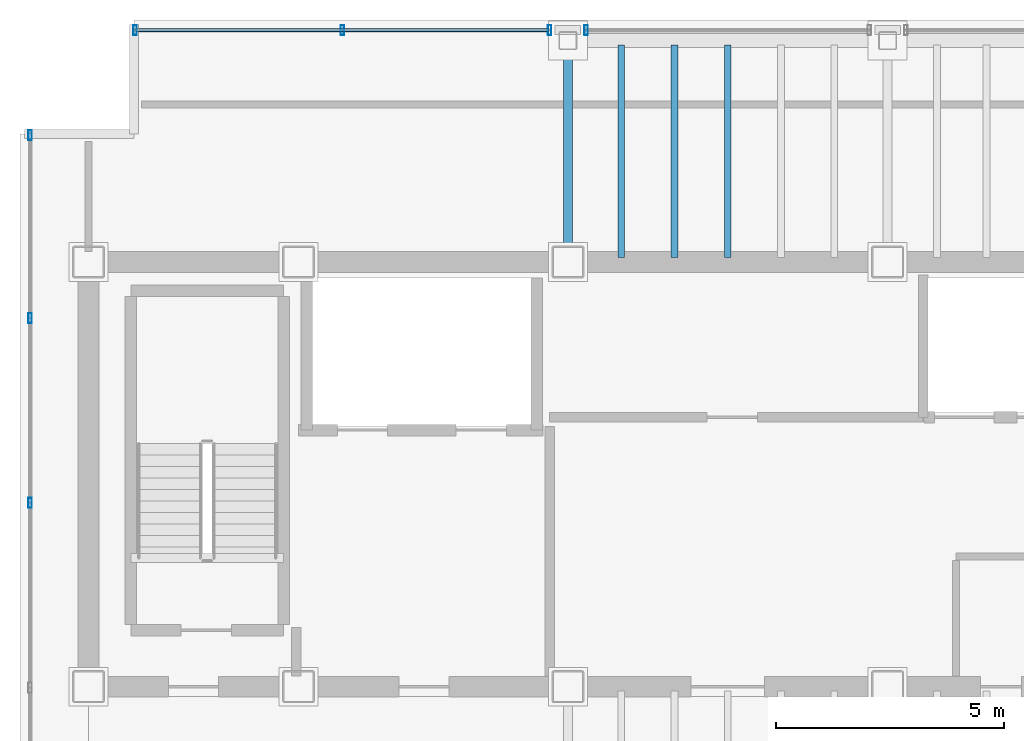
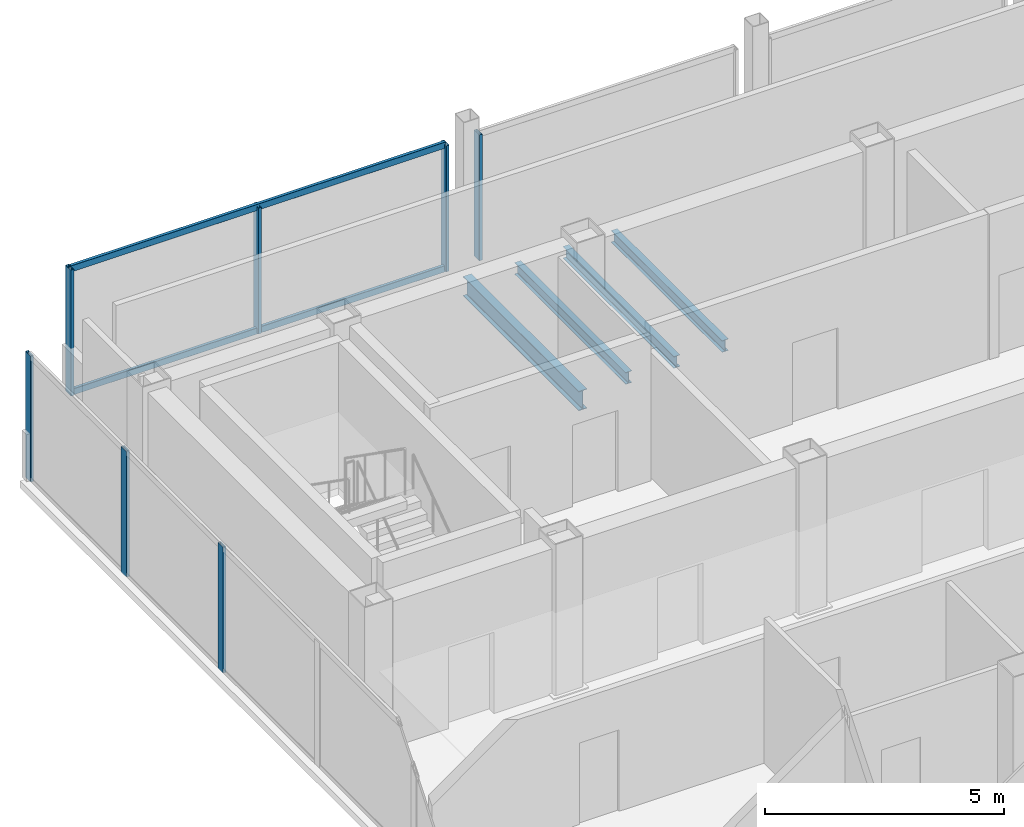
# One storey, part 8 of 17: 9 members, 4 beams, 3 elements without a shape of their own.
"""IFC4 building model written with IfcOpenShell, lengths in metres."""

import ifcopenshell
import ifcopenshell.guid

model = None  # the IFC model being written
_history = None  # IfcOwnerHistory: only IFC2X3 demands one
_inside = {}  # id of a spatial element -> (the spatial element, [elements in it])
_under = {}  # id of a project, library or spatial element -> (it, [spatial elements below it])
_declared = {}  # id of a project -> (the project, [libraries it declares])
_typed = {}  # id of a type object -> (the type object, [elements of that type])
_made_of = {}  # id of a material, layer set ... -> (it, [elements and type objects made of it])


def new_model(schema):
    """Start an empty IFC model of exactly this schema.

    Asked for "IFC4X3", IfcOpenShell would pick the latest addendum, in which some entities
    have other attributes; the version numbers below select the first issue.
    IFC2X3 requires an IfcOwnerHistory on every rooted entity: one is made here for all.
    """
    global model, _history
    if schema == "IFC4X3":
        model = ifcopenshell.file(schema_version=(4, 3, 0, 0))
    else:
        model = ifcopenshell.file(schema=schema)
    _inside.clear()
    _under.clear()
    _declared.clear()
    _typed.clear()
    _made_of.clear()
    _history = None
    if model.schema == "IFC2X3":
        org = make("IfcOrganization", Name="unknown")
        user = make(
            "IfcPersonAndOrganization",
            ThePerson=make("IfcPerson", FamilyName="unknown"),
            TheOrganization=org,
        )
        app = make(
            "IfcApplication",
            ApplicationDeveloper=org,
            Version="unknown",
            ApplicationFullName="unknown",
            ApplicationIdentifier="unknown",
        )
        _history = make(
            "IfcOwnerHistory",
            OwningUser=user,
            OwningApplication=app,
            ChangeAction="ADDED",
            CreationDate=0,
        )
    return model


def make(cls, **values):
    """One entity of the class cls with the attributes given. An attribute that is None is left unset."""
    return model.create_entity(
        cls, **{name: value for name, value in values.items() if value is not None}
    )


def rooted(cls, **values):
    """An entity with a GlobalId (a new one), such as an element, a storey or a relation."""
    return make(cls, GlobalId=ifcopenshell.guid.new(), OwnerHistory=_history, **values)


def si_unit(unit_type, name, prefix=None):
    """IfcSIUnit, for example si_unit("LENGTHUNIT", "METRE", prefix="MILLI")."""
    return make("IfcSIUnit", UnitType=unit_type, Prefix=prefix, Name=name)


def assignment(units):
    """IfcUnitAssignment: the units of a project."""
    return None if units is None else make("IfcUnitAssignment", Units=units)


def point(xyz):
    """IfcCartesianPoint."""
    return None if xyz is None else make("IfcCartesianPoint", Coordinates=xyz)


def direction(xyz):
    """IfcDirection."""
    return None if xyz is None else make("IfcDirection", DirectionRatios=xyz)


def frame(location, z_axis=None, x_axis=None):
    """IfcAxis2Placement3D, a coordinate frame: its origin and axes. An axis left out is left unset."""
    return make(
        "IfcAxis2Placement3D",
        Location=point(location),
        Axis=direction(z_axis),
        RefDirection=direction(x_axis),
    )


def frame_2d(location, x_axis=None):
    """IfcAxis2Placement2D, a coordinate frame in the plane: its origin and x axis."""
    return make(
        "IfcAxis2Placement2D", Location=point(location), RefDirection=direction(x_axis)
    )


def origin():
    """The frame at (0, 0, 0) with its axes left unset."""
    return frame((0.0, 0.0, 0.0))


def origin_2d():
    """The frame at (0, 0) in the plane with its x axis left unset."""
    return frame_2d((0.0, 0.0))


def place(relative_to, where):
    """IfcLocalPlacement: puts the frame where relative to a parent placement (None: the world)."""
    return make(
        "IfcLocalPlacement", PlacementRelTo=relative_to, RelativePlacement=where
    )


def context(
    kind, dimensions, precision=None, world=None, true_north=None, identifier=None
):
    """IfcGeometricRepresentationContext, for example the 3D "Model" context."""
    return make(
        "IfcGeometricRepresentationContext",
        ContextIdentifier=identifier,
        ContextType=kind,
        CoordinateSpaceDimension=dimensions,
        Precision=precision,
        WorldCoordinateSystem=world,
        TrueNorth=true_north,
    )


def subcontext(parent, identifier, kind, view, scale=None):
    """IfcGeometricRepresentationSubContext, for example "Body" below "Model"."""
    return make(
        "IfcGeometricRepresentationSubContext",
        ContextIdentifier=identifier,
        ContextType=kind,
        ParentContext=parent,
        TargetScale=scale,
        TargetView=view,
    )


def project(units=None, contexts=None):
    """IfcProject with its units and contexts."""
    return rooted(
        "IfcProject",
        Name="project",
        RepresentationContexts=contexts,
        UnitsInContext=assignment(units),
    )


def spatial(cls, under=None, at=None, **own):
    """A site, building, storey or space (cls), placed at a placement, below another one or the project."""
    s = rooted(cls, ObjectPlacement=at, **own)
    if under is not None:
        _under.setdefault(under.id(), (under, []))[1].append(s)
    return s


def profile(cls, at=None, kind="AREA", **sizes):
    """A parametric profile (cls). Its sizes go by their IFC names, for example OverallWidth=200.0."""
    return make(cls, ProfileType=kind, Position=at, **sizes)


def hollow_rectangle(**sizes):
    """IfcRectangleHollowProfileDef."""
    return profile("IfcRectangleHollowProfileDef", **sizes)


def i_section(**sizes):
    """IfcIShapeProfileDef."""
    return profile("IfcIShapeProfileDef", **sizes)


def extrude(swept, where, along, depth):
    """IfcExtrudedAreaSolid: the profile swept, set in the frame where, extruded along a direction by depth."""
    return make(
        "IfcExtrudedAreaSolid",
        SweptArea=swept,
        Position=where,
        ExtrudedDirection=direction(along),
        Depth=depth,
    )


def shape(context_of_items, identifier, shape_type, items):
    """IfcShapeRepresentation: the items that make up one representation, for example the "Body"."""
    return make(
        "IfcShapeRepresentation",
        ContextOfItems=context_of_items,
        RepresentationIdentifier=identifier,
        RepresentationType=shape_type,
        Items=items,
    )


def material(Name=None, Category=None):
    """IfcMaterial."""
    return make("IfcMaterial", Name=Name, Category=Category)


def material_profile(
    of_material, cross_section, Name=None, Category=None, Priority=None
):
    """IfcMaterialProfile: a cross section and its material."""
    return make(
        "IfcMaterialProfile",
        Name=Name,
        Material=of_material,
        Profile=cross_section,
        Priority=Priority,
        Category=Category,
    )


def profile_set(profiles, Name=None, composite=None):
    """IfcMaterialProfileSet."""
    return make(
        "IfcMaterialProfileSet",
        Name=Name,
        MaterialProfiles=profiles,
        CompositeProfile=composite,
    )


def made_of(thing, what):
    """Note that an element or type object is made of a material, layer set ...; save() writes the relation."""
    if what is not None:
        _made_of.setdefault(what.id(), (what, []))[1].append(thing)
    return thing


def type_object(cls, material=None, **own):
    """A type object (cls), such as IfcWallType, which elements share."""
    return made_of(rooted(cls, **own), material)


def element(
    cls,
    number,
    at=None,
    inside=None,
    cuts=None,
    type_object=None,
    material=None,
    context=None,
    identifier="Body",
    shape_type=None,
    held_by="IfcProductDefinitionShape",
    body=None,
    shapes=None,
    **own,
):
    """One element of the class cls, such as IfcWall. Its Tag is "e" and its number.

    at: its placement. inside: the storey or other place that contains it. cuts: it is an
    opening in that element (IfcRelVoidsElement). A single representation is given by context,
    identifier, shape_type and body (its items); several are given by shapes. held_by: the class
    of the entity that holds the representations. save() writes the other relations.
    """
    e = rooted(cls, Tag="e%d" % number, ObjectPlacement=at, **own)
    if body is not None:
        shapes = [shape(context, identifier, shape_type, body)]
    if shapes is not None:
        e.Representation = make(held_by, Representations=shapes)
    if inside is not None:
        _inside.setdefault(inside.id(), (inside, []))[1].append(e)
    if cuts is not None:
        rooted(
            "IfcRelVoidsElement", RelatingBuildingElement=cuts, RelatedOpeningElement=e
        )
    if type_object is not None:
        _typed.setdefault(type_object.id(), (type_object, []))[1].append(e)
    return made_of(e, material)


def aggregate(whole, parts):
    """IfcRelAggregates: a whole, such as a stair, and the parts it consists of."""
    return rooted("IfcRelAggregates", RelatingObject=whole, RelatedObjects=parts)


def save(model, path):
    """Write the relations noted so far, then the file.

    IfcRelAggregates (storeys below a building ...), IfcRelContainedInSpatialStructure (elements
    in a storey), IfcRelDefinesByType, IfcRelAssociatesMaterial and IfcRelDeclares: one each for
    every whole, place, type object, material and project.
    """
    for whole, parts in _under.values():
        aggregate(whole, parts)
    for where, things in _inside.values():
        rooted(
            "IfcRelContainedInSpatialStructure",
            RelatedElements=things,
            RelatingStructure=where,
        )
    for kind, things in _typed.values():
        rooted("IfcRelDefinesByType", RelatedObjects=things, RelatingType=kind)
    for what, things in _made_of.values():
        rooted("IfcRelAssociatesMaterial", RelatedObjects=things, RelatingMaterial=what)
    for by, libraries in _declared.values():
        rooted("IfcRelDeclares", RelatingContext=by, RelatedDefinitions=libraries)
    model.write(path)


model = new_model("IFC4")

# Units and contexts
model_context = context("Model", 3, precision=1e-05, world=origin(), true_north=direction((0.0, 1.0)))
body_context = subcontext(model_context, "Body", "Model", "MODEL_VIEW")
ifc_project = project(units=[si_unit("LENGTHUNIT", "METRE"), si_unit("AREAUNIT", "SQUARE_METRE"), si_unit("VOLUMEUNIT", "CUBIC_METRE"), si_unit("PLANEANGLEUNIT", "RADIAN"), si_unit("MASSUNIT", "GRAM", prefix="KILO")], contexts=[model_context])

# Site, building, storey
site_placement = place(None, origin())
site = spatial("IfcSite", under=ifc_project, at=site_placement, CompositionType="ELEMENT")
building_placement = place(site_placement, origin())
building = spatial("IfcBuilding", under=site, at=building_placement, Name="Noeulbin Bourse Tower", CompositionType="ELEMENT")
storey_placement = place(building_placement, frame((0.0, 0.0, 289.10009765625)))
storey = spatial("IfcBuildingStorey", under=building, at=storey_placement, Name="L72", CompositionType="ELEMENT", Elevation=289.10009765625)

# Beams
ifc_material_1 = material(Name="Steel S355", Category="steel")
ifc_material_profile_1 = material_profile(ifc_material_1, i_section(OverallWidth=0.199951171875, OverallDepth=0.5, WebThickness=0.010009765625, FlangeThickness=0.01611328125, FilletRadius=0.02001953125, at=origin_2d()), Name="H-500x200x10x16", Category="LoadBearing")
ifc_profile_set_1 = profile_set([ifc_material_profile_1], Name="Steel S355")
beam_type_1 = type_object("IfcBeamType", Name="BM-GRD-500", PredefinedType="USERDEFINED", material=ifc_profile_set_1)
beam_placement = place(storey_placement, frame((24.0, 38.300048828125, -0.43017578125), z_axis=(0.0, 1.0, 0.0), x_axis=(-1.0, 0.0, 0.0)))
element("IfcBeam", 1, at=beam_placement, inside=storey, type_object=beam_type_1, Name="Tower Primary Girder NS L72-2.4", ObjectType="GIRDER", PredefinedType="USERDEFINED", context=body_context, shape_type="SweptSolid", body=[
    extrude(i_section(OverallWidth=0.199951171875, OverallDepth=0.5, WebThickness=0.010009765625, FlangeThickness=0.01611328125, FilletRadius=0.02001953125, at=origin_2d()), origin(), (0.0, 0.0, 1.0), 4.849853515625),
])
ifc_material_profile_2 = material_profile(ifc_material_1, i_section(OverallWidth=0.14990234375, OverallDepth=0.300048828125, WebThickness=0.006591796875, FlangeThickness=0.009033203125, FilletRadius=0.012939453125, at=origin_2d()), Name="H-300x150x6.5x9", Category="LoadBearing")
ifc_profile_set_2 = profile_set([ifc_material_profile_2], Name="Steel S355")
beam_type_2 = type_object("IfcBeamType", Name="BM-JST-300", PredefinedType="JOIST", material=ifc_profile_set_2)
for number, where, z_axis, x_axis, name in (
    (2, (25.166748046875, 38.39990234375, -0.330078125), (0.0, 1.0, 0.0), (-1.0, 0.0, 0.0), "Tower Composite Joist L72-02"),
    (3, (26.333251953125, 38.39990234375, -0.330078125), (0.0, 1.0, 0.0), (-1.0, 0.0, 0.0), "Tower Composite Joist L72-04"),
    (4, (27.5, 38.39990234375, -0.330078125), (0.0, 1.0, 0.0), (-1.0, 0.0, 0.0), "Tower Composite Joist L72-06"),
):
    element("IfcBeam", number, at=place(storey_placement, frame(where, z_axis=z_axis, x_axis=x_axis)), inside=storey, type_object=beam_type_2, Name=name, PredefinedType="JOIST", context=body_context, shape_type="SweptSolid", body=[
        extrude(i_section(OverallWidth=0.14990234375, OverallDepth=0.300048828125, WebThickness=0.006591796875, FlangeThickness=0.009033203125, FilletRadius=0.012939453125, at=origin_2d()), origin(), (0.0, 0.0, 1.0), 4.650146484375),
    ])

# Curtain wall, members
ifc_material_2 = material(Name="High-Selectivity Low-Iron Glazing", Category="glass")
curtain_wall_type = type_object("IfcCurtainWallType", Name="CW-SYS-4", PredefinedType="NOTDEFINED", material=ifc_material_2)
curtain_wall_1_placement = place(storey_placement, origin())
curtain_wall_1 = element("IfcCurtainWall", 5, at=curtain_wall_1_placement, inside=storey, type_object=curtain_wall_type, Name="Unitised Curtain Wall CW-L72-N-S1", PredefinedType="NOTDEFINED")
ifc_material_3 = material(Name="Anodised Aluminium 6063-T6", Category="aluminium")
ifc_material_profile_3 = material_profile(ifc_material_3, hollow_rectangle(XDim=0.074951171875, YDim=0.219970703125, WallThickness=0.0048828125, InnerFilletRadius=0.00244140625, OuterFilletRadius=0.0048828125, at=origin_2d()), Name="ALU-MULL-75x220x5", Category="LoadBearing")
ifc_profile_set_3 = profile_set([ifc_material_profile_3], Name="Anodised Aluminium 6063-T6")
member_type_1 = type_object("IfcMemberType", Name="CW-SYS-4-MUL", PredefinedType="MULLION", material=ifc_profile_set_3)
member_1_placement = place(storey_placement, frame((14.52001953125, 43.3798828125, -0.02001953125), z_axis=(0.0, 0.0, 1.0), x_axis=(1.0, 0.0, 0.0)))
member_1 = element("IfcMember", 6, at=member_1_placement, type_object=member_type_1, Name="Curtain Wall Mullion CW-L72-N-S1-M00", PredefinedType="MULLION", context=body_context, shape_type="SweptSolid", body=[
    extrude(hollow_rectangle(XDim=0.074951171875, YDim=0.219970703125, WallThickness=0.0048828125, InnerFilletRadius=0.00244140625, OuterFilletRadius=0.0048828125, at=origin_2d()), origin(), (0.0, 0.0, 1.0), 3.219970703125),
])
member_2_placement = place(storey_placement, frame((19.06005859375, 43.3798828125, -0.02001953125), z_axis=(0.0, 0.0, 1.0), x_axis=(1.0, 0.0, 0.0)))
member_2 = element("IfcMember", 7, at=member_2_placement, type_object=member_type_1, Name="Curtain Wall Mullion CW-L72-N-S1-M01", PredefinedType="MULLION", context=body_context, shape_type="SweptSolid", body=[
    extrude(hollow_rectangle(XDim=0.074951171875, YDim=0.219970703125, WallThickness=0.0048828125, InnerFilletRadius=0.00244140625, OuterFilletRadius=0.0048828125, at=origin_2d()), origin(), (0.0, 0.0, 1.0), 3.219970703125),
])
member_3_placement = place(storey_placement, frame((23.60009765625, 43.3798828125, -0.02001953125), z_axis=(0.0, 0.0, 1.0), x_axis=(1.0, 0.0, 0.0)))
member_3 = element("IfcMember", 8, at=member_3_placement, type_object=member_type_1, Name="Curtain Wall Mullion CW-L72-N-S1-M02", PredefinedType="MULLION", context=body_context, shape_type="SweptSolid", body=[
    extrude(hollow_rectangle(XDim=0.074951171875, YDim=0.219970703125, WallThickness=0.0048828125, InnerFilletRadius=0.00244140625, OuterFilletRadius=0.0048828125, at=origin_2d()), origin(), (0.0, 0.0, 1.0), 3.219970703125),
])

# Curtain wall, member
curtain_wall_2_placement = place(storey_placement, origin())
curtain_wall_2 = element("IfcCurtainWall", 9, at=curtain_wall_2_placement, inside=storey, type_object=curtain_wall_type, Name="Unitised Curtain Wall CW-L72-N-S2", PredefinedType="NOTDEFINED")
member_4_placement = place(storey_placement, frame((24.39990234375, 43.3798828125, -0.02001953125), z_axis=(0.0, 0.0, 1.0), x_axis=(1.0, 0.0, 0.0)))
member_4 = element("IfcMember", 10, at=member_4_placement, type_object=member_type_1, Name="Curtain Wall Mullion CW-L72-N-S2-M00", PredefinedType="MULLION", context=body_context, shape_type="SweptSolid", body=[
    extrude(hollow_rectangle(XDim=0.074951171875, YDim=0.219970703125, WallThickness=0.0048828125, InnerFilletRadius=0.00244140625, OuterFilletRadius=0.0048828125, at=origin_2d()), origin(), (0.0, 0.0, 1.0), 3.219970703125),
])
aggregate(curtain_wall_2, [member_4])

# Curtain wall, members
curtain_wall_3_placement = place(storey_placement, origin())
curtain_wall_3 = element("IfcCurtainWall", 11, at=curtain_wall_3_placement, inside=storey, type_object=curtain_wall_type, Name="Unitised Curtain Wall CW-L72-W", PredefinedType="NOTDEFINED")
member_5_placement = place(storey_placement, frame((12.219970703125, 33.02392578125, -0.02001953125), z_axis=(0.0, 0.0, 1.0), x_axis=(1.0, 0.0, 0.0)))
member_5 = element("IfcMember", 12, at=member_5_placement, type_object=member_type_1, Name="Curtain Wall Mullion CW-L72-W-M03", PredefinedType="MULLION", context=body_context, shape_type="SweptSolid", body=[
    extrude(hollow_rectangle(XDim=0.074951171875, YDim=0.219970703125, WallThickness=0.0048828125, InnerFilletRadius=0.00244140625, OuterFilletRadius=0.0048828125, at=origin_2d()), origin(), (0.0, 0.0, 1.0), 3.219970703125),
])
member_6_placement = place(storey_placement, frame((12.219970703125, 37.072021484375, -0.02001953125), z_axis=(0.0, 0.0, 1.0), x_axis=(1.0, 0.0, 0.0)))
member_6 = element("IfcMember", 13, at=member_6_placement, type_object=member_type_1, Name="Curtain Wall Mullion CW-L72-W-M04", PredefinedType="MULLION", context=body_context, shape_type="SweptSolid", body=[
    extrude(hollow_rectangle(XDim=0.074951171875, YDim=0.219970703125, WallThickness=0.0048828125, InnerFilletRadius=0.00244140625, OuterFilletRadius=0.0048828125, at=origin_2d()), origin(), (0.0, 0.0, 1.0), 3.219970703125),
])
member_7_placement = place(storey_placement, frame((12.219970703125, 41.080078125, -0.02001953125), z_axis=(0.0, 0.0, 1.0), x_axis=(1.0, 0.0, 0.0)))
member_7 = element("IfcMember", 14, at=member_7_placement, type_object=member_type_1, Name="Curtain Wall Mullion CW-L72-W-M05", PredefinedType="MULLION", context=body_context, shape_type="SweptSolid", body=[
    extrude(hollow_rectangle(XDim=0.074951171875, YDim=0.219970703125, WallThickness=0.0048828125, InnerFilletRadius=0.00244140625, OuterFilletRadius=0.0048828125, at=origin_2d()), origin(), (0.0, 0.0, 1.0), 3.219970703125),
])
aggregate(curtain_wall_3, [member_5, member_6, member_7])

# Member
ifc_material_profile_4 = material_profile(ifc_material_3, hollow_rectangle(XDim=0.074951171875, YDim=0.159912109375, WallThickness=0.0048828125, InnerFilletRadius=0.00244140625, OuterFilletRadius=0.0048828125, at=origin_2d()), Name="ALU-TRAN-75x160x5", Category="LoadBearing")
ifc_profile_set_4 = profile_set([ifc_material_profile_4], Name="Anodised Aluminium 6063-T6")
member_type_2 = type_object("IfcMemberType", Name="CW-SYS-4-TRN", PredefinedType="USERDEFINED", material=ifc_profile_set_4)
member_8_placement = place(storey_placement, frame((14.530029296875, 43.3798828125, 0.010009765625), z_axis=(1.0, 0.0, 0.0), x_axis=(0.0, 1.0, 0.0)))
member_8 = element("IfcMember", 15, at=member_8_placement, type_object=member_type_2, Name="Curtain Wall Transom CW-L72-N-S1-T00", ObjectType="TRANSOM", PredefinedType="USERDEFINED", context=body_context, shape_type="SweptSolid", body=[
    extrude(hollow_rectangle(XDim=0.074951171875, YDim=0.159912109375, WallThickness=0.0048828125, InnerFilletRadius=0.00244140625, OuterFilletRadius=0.0048828125, at=origin_2d()), origin(), (0.0, 0.0, 1.0), 9.06005859375),
])

member_9_placement = place(storey_placement, frame((14.530029296875, 43.3798828125, 3.169921875), z_axis=(1.0, 0.0, 0.0), x_axis=(0.0, 1.0, 0.0)))
member_9 = element("IfcMember", 16, at=member_9_placement, type_object=member_type_2, Name="Curtain Wall Transom CW-L72-N-S1-T01", ObjectType="TRANSOM", PredefinedType="USERDEFINED", context=body_context, shape_type="SweptSolid", body=[
    extrude(hollow_rectangle(XDim=0.074951171875, YDim=0.159912109375, WallThickness=0.0048828125, InnerFilletRadius=0.00244140625, OuterFilletRadius=0.0048828125, at=origin_2d()), origin(), (0.0, 0.0, 1.0), 9.06005859375),
])

aggregate(curtain_wall_1, [member_1, member_2, member_3, member_8, member_9])

save(model, "model.ifc")
